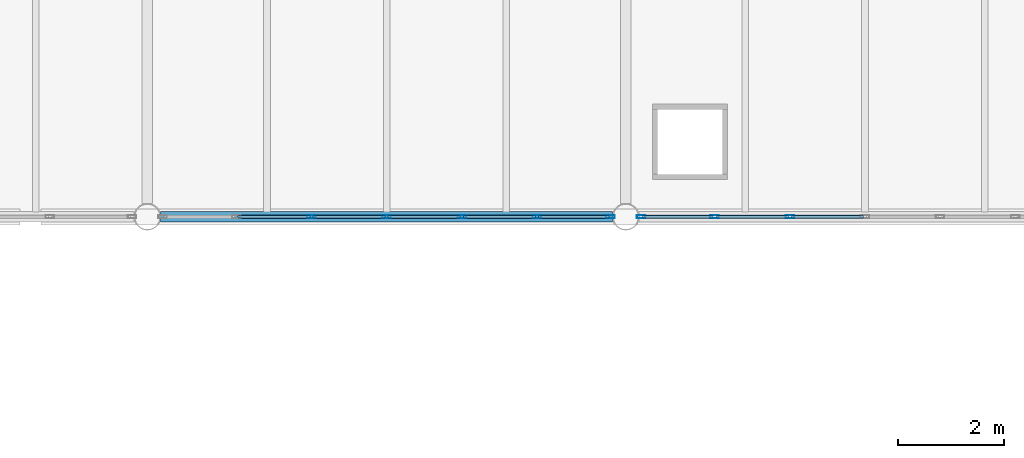
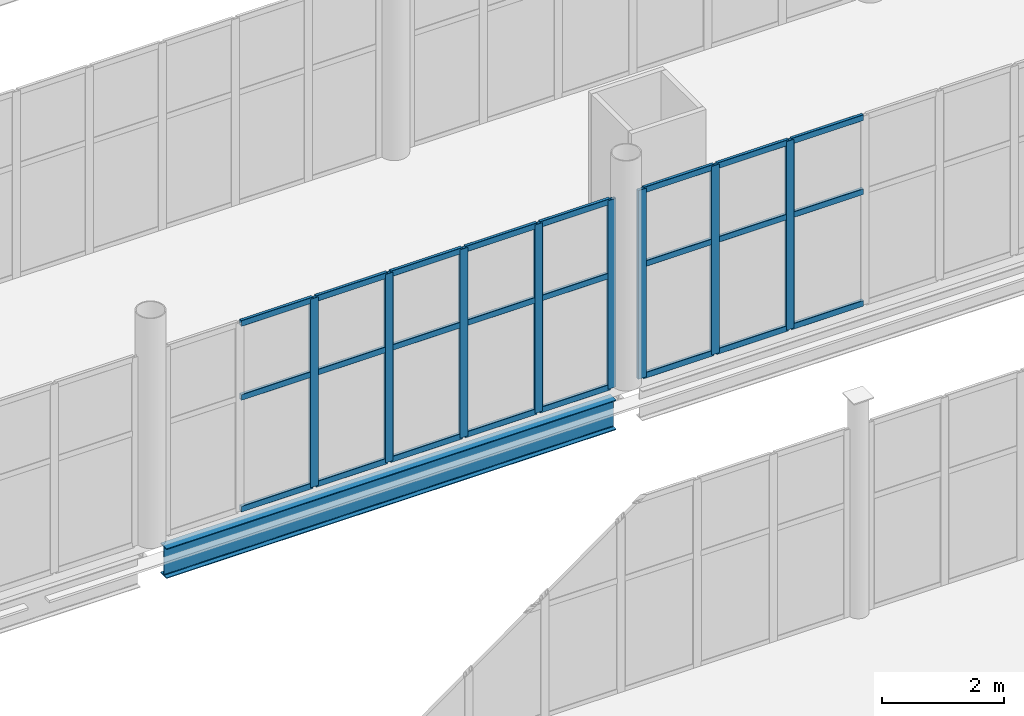
# One storey, part 89 of 172: 32 members, 1 beam, 2 elements without a shape of their own.
"""IFC4 building model written with IfcOpenShell, lengths in metres."""

from ifc_helpers import new_model, si_unit, direction, frame, origin, origin_2d, place, context, subcontext, project, spatial, hollow_rectangle, i_section, extrude, material, material_profile, profile_set, type_object, element, aggregate, save


model = new_model("IFC4")

# Units and contexts
model_context = context("Model", 3, precision=1e-05, world=origin(), true_north=direction((0.0, 1.0)))
body_context = subcontext(model_context, "Body", "Model", "MODEL_VIEW")
ifc_project = project(units=[si_unit("LENGTHUNIT", "METRE"), si_unit("AREAUNIT", "SQUARE_METRE"), si_unit("VOLUMEUNIT", "CUBIC_METRE"), si_unit("PLANEANGLEUNIT", "RADIAN"), si_unit("MASSUNIT", "GRAM", prefix="KILO")], contexts=[model_context])

# Site, building, storey
site_placement = place(None, origin())
site = spatial("IfcSite", under=ifc_project, at=site_placement, CompositionType="ELEMENT")
building_placement = place(site_placement, origin())
building = spatial("IfcBuilding", under=site, at=building_placement, Name="Shengluoqiao Park Theatre", CompositionType="ELEMENT")
storey_placement = place(building_placement, frame((0.0, 0.0, 5.39990234375)))
storey = spatial("IfcBuildingStorey", under=building, at=storey_placement, Name="L01", CompositionType="ELEMENT", Elevation=5.39990234375)

# Curtain wall, members
ifc_material_1 = material(Name="Aluminium 6063-T6", Category="aluminium")
curtain_wall_type = type_object("IfcCurtainWallType", Name="ENV-CW-BRIDGE", PredefinedType="NOTDEFINED", material=ifc_material_1)
curtain_wall_1_placement = place(storey_placement, origin())
curtain_wall_1 = element("IfcCurtainWall", 1, at=curtain_wall_1_placement, inside=storey, type_object=curtain_wall_type, Name="L01 Curtain Wall CWX-L01-0094", PredefinedType="NOTDEFINED")
ifc_material_profile_1 = material_profile(ifc_material_1, hollow_rectangle(XDim=0.06005859375, YDim=0.159912109375, WallThickness=0.00390625, InnerFilletRadius=0.00390625, OuterFilletRadius=0.008056640625, at=origin_2d()), Name="ALU MULLION 160x60x4")
ifc_profile_set_1 = profile_set([ifc_material_profile_1], Name="Aluminium 6063-T6")
member_type_1 = type_object("IfcMemberType", Name="ENV-MUL-160", PredefinedType="MULLION", material=ifc_profile_set_1)
member_1_placement = place(storey_placement, frame((115.486083984375, 68.39990234375, 0.0), z_axis=(0.0, 0.0, 1.0), x_axis=(0.0, 1.0, 0.0)))
member_1 = element("IfcMember", 2, at=member_1_placement, type_object=member_type_1, Name="CW-03 mullion 3", PredefinedType="MULLION", context=body_context, shape_type="SweptSolid", body=[
    extrude(hollow_rectangle(XDim=0.06005859375, YDim=0.159912109375, WallThickness=0.00390625, InnerFilletRadius=0.00390625, OuterFilletRadius=0.008056640625, at=origin_2d()), origin(), (0.0, 0.0, 1.0), 3.772216796875),
])
member_2_placement = place(storey_placement, frame((116.89990234375, 68.39990234375, 0.0), z_axis=(0.0, 0.0, 1.0), x_axis=(0.0, 1.0, 0.0)))
member_2 = element("IfcMember", 3, at=member_2_placement, type_object=member_type_1, Name="CW-03 mullion 4", PredefinedType="MULLION", context=body_context, shape_type="SweptSolid", body=[
    extrude(hollow_rectangle(XDim=0.06005859375, YDim=0.159912109375, WallThickness=0.00390625, InnerFilletRadius=0.00390625, OuterFilletRadius=0.008056640625, at=origin_2d()), origin(), (0.0, 0.0, 1.0), 3.772216796875),
])
member_3_placement = place(storey_placement, frame((118.31396484375, 68.39990234375, 0.0), z_axis=(0.0, 0.0, 1.0), x_axis=(0.0, 1.0, 0.0)))
member_3 = element("IfcMember", 4, at=member_3_placement, type_object=member_type_1, Name="CW-03 mullion 5", PredefinedType="MULLION", context=body_context, shape_type="SweptSolid", body=[
    extrude(hollow_rectangle(XDim=0.06005859375, YDim=0.159912109375, WallThickness=0.00390625, InnerFilletRadius=0.00390625, OuterFilletRadius=0.008056640625, at=origin_2d()), origin(), (0.0, 0.0, 1.0), 3.772216796875),
])
member_4_placement = place(storey_placement, frame((119.72802734375, 68.39990234375, 0.0), z_axis=(0.0, 0.0, 1.0), x_axis=(0.0, 1.0, 0.0)))
member_4 = element("IfcMember", 5, at=member_4_placement, type_object=member_type_1, Name="CW-03 mullion 6", PredefinedType="MULLION", context=body_context, shape_type="SweptSolid", body=[
    extrude(hollow_rectangle(XDim=0.06005859375, YDim=0.159912109375, WallThickness=0.00390625, InnerFilletRadius=0.00390625, OuterFilletRadius=0.008056640625, at=origin_2d()), origin(), (0.0, 0.0, 1.0), 3.772216796875),
])
member_5_placement = place(storey_placement, frame((121.112060546875, 68.39990234375, 0.0), z_axis=(0.0, 0.0, 1.0), x_axis=(0.0, 1.0, 0.0)))
member_5 = element("IfcMember", 6, at=member_5_placement, type_object=member_type_1, Name="CW-03 mullion 7", PredefinedType="MULLION", context=body_context, shape_type="SweptSolid", body=[
    extrude(hollow_rectangle(XDim=0.06005859375, YDim=0.159912109375, WallThickness=0.00390625, InnerFilletRadius=0.00390625, OuterFilletRadius=0.008056640625, at=origin_2d()), origin(), (0.0, 0.0, 1.0), 3.772216796875),
])

curtain_wall_2_placement = place(storey_placement, origin())
curtain_wall_2 = element("IfcCurtainWall", 7, at=curtain_wall_2_placement, inside=storey, type_object=curtain_wall_type, Name="L01 Curtain Wall CWX-L01-0095", PredefinedType="NOTDEFINED")
member_6_placement = place(storey_placement, frame((121.68798828125, 68.39990234375, 0.0), z_axis=(0.0, 0.0, 1.0), x_axis=(0.0, 1.0, 0.0)))
member_6 = element("IfcMember", 8, at=member_6_placement, type_object=member_type_1, Name="CW-03 mullion 1", PredefinedType="MULLION", context=body_context, shape_type="SweptSolid", body=[
    extrude(hollow_rectangle(XDim=0.06005859375, YDim=0.159912109375, WallThickness=0.00390625, InnerFilletRadius=0.00390625, OuterFilletRadius=0.008056640625, at=origin_2d()), origin(), (0.0, 0.0, 1.0), 3.772216796875),
])
member_7_placement = place(storey_placement, frame((123.072021484375, 68.39990234375, 0.0), z_axis=(0.0, 0.0, 1.0), x_axis=(0.0, 1.0, 0.0)))
member_7 = element("IfcMember", 9, at=member_7_placement, type_object=member_type_1, Name="CW-03 mullion 2", PredefinedType="MULLION", context=body_context, shape_type="SweptSolid", body=[
    extrude(hollow_rectangle(XDim=0.06005859375, YDim=0.159912109375, WallThickness=0.00390625, InnerFilletRadius=0.00390625, OuterFilletRadius=0.008056640625, at=origin_2d()), origin(), (0.0, 0.0, 1.0), 3.772216796875),
])
member_8_placement = place(storey_placement, frame((124.486083984375, 68.39990234375, 0.0), z_axis=(0.0, 0.0, 1.0), x_axis=(0.0, 1.0, 0.0)))
member_8 = element("IfcMember", 10, at=member_8_placement, type_object=member_type_1, Name="CW-03 mullion 3", PredefinedType="MULLION", context=body_context, shape_type="SweptSolid", body=[
    extrude(hollow_rectangle(XDim=0.06005859375, YDim=0.159912109375, WallThickness=0.00390625, InnerFilletRadius=0.00390625, OuterFilletRadius=0.008056640625, at=origin_2d()), origin(), (0.0, 0.0, 1.0), 3.772216796875),
])

# Member
ifc_material_profile_2 = material_profile(ifc_material_1, hollow_rectangle(XDim=0.06005859375, YDim=0.1201171875, WallThickness=0.00390625, InnerFilletRadius=0.00390625, OuterFilletRadius=0.008056640625, at=origin_2d()), Name="ALU TRANSOM 120x60x4")
ifc_profile_set_2 = profile_set([ifc_material_profile_2], Name="Aluminium 6063-T6")
member_type_2 = type_object("IfcMemberType", Name="ENV-TRN-120", PredefinedType="USERDEFINED", material=ifc_profile_set_2)
member_9_placement = place(storey_placement, frame((114.10205078125, 68.39990234375, 0.030029296875), z_axis=(1.0, 0.0, 0.0), x_axis=(0.0, 1.0, 0.0)))
member_9 = element("IfcMember", 11, at=member_9_placement, type_object=member_type_2, Name="CW-03 transom 2.1", ObjectType="TRANSOM", PredefinedType="USERDEFINED", context=body_context, shape_type="SweptSolid", body=[
    extrude(hollow_rectangle(XDim=0.06005859375, YDim=0.1201171875, WallThickness=0.00390625, InnerFilletRadius=0.00390625, OuterFilletRadius=0.008056640625, at=origin_2d()), origin(), (0.0, 0.0, 1.0), 1.35400390625),
])

member_10_placement = place(storey_placement, frame((114.10205078125, 68.39990234375, 2.26318359375), z_axis=(1.0, 0.0, 0.0), x_axis=(0.0, 1.0, 0.0)))
member_10 = element("IfcMember", 12, at=member_10_placement, type_object=member_type_2, Name="CW-03 transom 2.2", ObjectType="TRANSOM", PredefinedType="USERDEFINED", context=body_context, shape_type="SweptSolid", body=[
    extrude(hollow_rectangle(XDim=0.06005859375, YDim=0.1201171875, WallThickness=0.00390625, InnerFilletRadius=0.00390625, OuterFilletRadius=0.008056640625, at=origin_2d()), origin(), (0.0, 0.0, 1.0), 1.35400390625),
])

member_11_placement = place(storey_placement, frame((114.10205078125, 68.39990234375, 3.7421875), z_axis=(1.0, 0.0, 0.0), x_axis=(0.0, 1.0, 0.0)))
member_11 = element("IfcMember", 13, at=member_11_placement, type_object=member_type_2, Name="CW-03 transom 2.3", ObjectType="TRANSOM", PredefinedType="USERDEFINED", context=body_context, shape_type="SweptSolid", body=[
    extrude(hollow_rectangle(XDim=0.06005859375, YDim=0.1201171875, WallThickness=0.00390625, InnerFilletRadius=0.00390625, OuterFilletRadius=0.008056640625, at=origin_2d()), origin(), (0.0, 0.0, 1.0), 1.35400390625),
])

member_12_placement = place(storey_placement, frame((115.51611328125, 68.39990234375, 0.030029296875), z_axis=(1.0, 0.0, 0.0), x_axis=(0.0, 1.0, 0.0)))
member_12 = element("IfcMember", 14, at=member_12_placement, type_object=member_type_2, Name="CW-03 transom 3.1", ObjectType="TRANSOM", PredefinedType="USERDEFINED", context=body_context, shape_type="SweptSolid", body=[
    extrude(hollow_rectangle(XDim=0.06005859375, YDim=0.1201171875, WallThickness=0.00390625, InnerFilletRadius=0.00390625, OuterFilletRadius=0.008056640625, at=origin_2d()), origin(), (0.0, 0.0, 1.0), 1.35400390625),
])

member_13_placement = place(storey_placement, frame((115.51611328125, 68.39990234375, 2.26318359375), z_axis=(1.0, 0.0, 0.0), x_axis=(0.0, 1.0, 0.0)))
member_13 = element("IfcMember", 15, at=member_13_placement, type_object=member_type_2, Name="CW-03 transom 3.2", ObjectType="TRANSOM", PredefinedType="USERDEFINED", context=body_context, shape_type="SweptSolid", body=[
    extrude(hollow_rectangle(XDim=0.06005859375, YDim=0.1201171875, WallThickness=0.00390625, InnerFilletRadius=0.00390625, OuterFilletRadius=0.008056640625, at=origin_2d()), origin(), (0.0, 0.0, 1.0), 1.35400390625),
])

member_14_placement = place(storey_placement, frame((115.51611328125, 68.39990234375, 3.7421875), z_axis=(1.0, 0.0, 0.0), x_axis=(0.0, 1.0, 0.0)))
member_14 = element("IfcMember", 16, at=member_14_placement, type_object=member_type_2, Name="CW-03 transom 3.3", ObjectType="TRANSOM", PredefinedType="USERDEFINED", context=body_context, shape_type="SweptSolid", body=[
    extrude(hollow_rectangle(XDim=0.06005859375, YDim=0.1201171875, WallThickness=0.00390625, InnerFilletRadius=0.00390625, OuterFilletRadius=0.008056640625, at=origin_2d()), origin(), (0.0, 0.0, 1.0), 1.35400390625),
])

member_15_placement = place(storey_placement, frame((116.929931640625, 68.39990234375, 0.030029296875), z_axis=(1.0, 0.0, 0.0), x_axis=(0.0, 1.0, 0.0)))
member_15 = element("IfcMember", 17, at=member_15_placement, type_object=member_type_2, Name="CW-03 transom 4.1", ObjectType="TRANSOM", PredefinedType="USERDEFINED", context=body_context, shape_type="SweptSolid", body=[
    extrude(hollow_rectangle(XDim=0.06005859375, YDim=0.1201171875, WallThickness=0.00390625, InnerFilletRadius=0.00390625, OuterFilletRadius=0.008056640625, at=origin_2d()), origin(), (0.0, 0.0, 1.0), 1.35400390625),
])

member_16_placement = place(storey_placement, frame((116.929931640625, 68.39990234375, 2.26318359375), z_axis=(1.0, 0.0, 0.0), x_axis=(0.0, 1.0, 0.0)))
member_16 = element("IfcMember", 18, at=member_16_placement, type_object=member_type_2, Name="CW-03 transom 4.2", ObjectType="TRANSOM", PredefinedType="USERDEFINED", context=body_context, shape_type="SweptSolid", body=[
    extrude(hollow_rectangle(XDim=0.06005859375, YDim=0.1201171875, WallThickness=0.00390625, InnerFilletRadius=0.00390625, OuterFilletRadius=0.008056640625, at=origin_2d()), origin(), (0.0, 0.0, 1.0), 1.35400390625),
])

member_17_placement = place(storey_placement, frame((116.929931640625, 68.39990234375, 3.7421875), z_axis=(1.0, 0.0, 0.0), x_axis=(0.0, 1.0, 0.0)))
member_17 = element("IfcMember", 19, at=member_17_placement, type_object=member_type_2, Name="CW-03 transom 4.3", ObjectType="TRANSOM", PredefinedType="USERDEFINED", context=body_context, shape_type="SweptSolid", body=[
    extrude(hollow_rectangle(XDim=0.06005859375, YDim=0.1201171875, WallThickness=0.00390625, InnerFilletRadius=0.00390625, OuterFilletRadius=0.008056640625, at=origin_2d()), origin(), (0.0, 0.0, 1.0), 1.35400390625),
])

member_18_placement = place(storey_placement, frame((118.343994140625, 68.39990234375, 0.030029296875), z_axis=(1.0, 0.0, 0.0), x_axis=(0.0, 1.0, 0.0)))
member_18 = element("IfcMember", 20, at=member_18_placement, type_object=member_type_2, Name="CW-03 transom 5.1", ObjectType="TRANSOM", PredefinedType="USERDEFINED", context=body_context, shape_type="SweptSolid", body=[
    extrude(hollow_rectangle(XDim=0.06005859375, YDim=0.1201171875, WallThickness=0.00390625, InnerFilletRadius=0.00390625, OuterFilletRadius=0.008056640625, at=origin_2d()), origin(), (0.0, 0.0, 1.0), 1.35400390625),
])

member_19_placement = place(storey_placement, frame((118.343994140625, 68.39990234375, 2.26318359375), z_axis=(1.0, 0.0, 0.0), x_axis=(0.0, 1.0, 0.0)))
member_19 = element("IfcMember", 21, at=member_19_placement, type_object=member_type_2, Name="CW-03 transom 5.2", ObjectType="TRANSOM", PredefinedType="USERDEFINED", context=body_context, shape_type="SweptSolid", body=[
    extrude(hollow_rectangle(XDim=0.06005859375, YDim=0.1201171875, WallThickness=0.00390625, InnerFilletRadius=0.00390625, OuterFilletRadius=0.008056640625, at=origin_2d()), origin(), (0.0, 0.0, 1.0), 1.35400390625),
])

member_20_placement = place(storey_placement, frame((118.343994140625, 68.39990234375, 3.7421875), z_axis=(1.0, 0.0, 0.0), x_axis=(0.0, 1.0, 0.0)))
member_20 = element("IfcMember", 22, at=member_20_placement, type_object=member_type_2, Name="CW-03 transom 5.3", ObjectType="TRANSOM", PredefinedType="USERDEFINED", context=body_context, shape_type="SweptSolid", body=[
    extrude(hollow_rectangle(XDim=0.06005859375, YDim=0.1201171875, WallThickness=0.00390625, InnerFilletRadius=0.00390625, OuterFilletRadius=0.008056640625, at=origin_2d()), origin(), (0.0, 0.0, 1.0), 1.35400390625),
])

member_21_placement = place(storey_placement, frame((119.758056640625, 68.39990234375, 0.030029296875), z_axis=(1.0, 0.0, 0.0), x_axis=(0.0, 1.0, 0.0)))
member_21 = element("IfcMember", 23, at=member_21_placement, type_object=member_type_2, Name="CW-03 transom 6.1", ObjectType="TRANSOM", PredefinedType="USERDEFINED", context=body_context, shape_type="SweptSolid", body=[
    extrude(hollow_rectangle(XDim=0.06005859375, YDim=0.1201171875, WallThickness=0.00390625, InnerFilletRadius=0.00390625, OuterFilletRadius=0.008056640625, at=origin_2d()), origin(), (0.0, 0.0, 1.0), 1.323974609375),
])

member_22_placement = place(storey_placement, frame((119.758056640625, 68.39990234375, 2.26318359375), z_axis=(1.0, 0.0, 0.0), x_axis=(0.0, 1.0, 0.0)))
member_22 = element("IfcMember", 24, at=member_22_placement, type_object=member_type_2, Name="CW-03 transom 6.2", ObjectType="TRANSOM", PredefinedType="USERDEFINED", context=body_context, shape_type="SweptSolid", body=[
    extrude(hollow_rectangle(XDim=0.06005859375, YDim=0.1201171875, WallThickness=0.00390625, InnerFilletRadius=0.00390625, OuterFilletRadius=0.008056640625, at=origin_2d()), origin(), (0.0, 0.0, 1.0), 1.323974609375),
])

member_23_placement = place(storey_placement, frame((119.758056640625, 68.39990234375, 3.7421875), z_axis=(1.0, 0.0, 0.0), x_axis=(0.0, 1.0, 0.0)))
member_23 = element("IfcMember", 25, at=member_23_placement, type_object=member_type_2, Name="CW-03 transom 6.3", ObjectType="TRANSOM", PredefinedType="USERDEFINED", context=body_context, shape_type="SweptSolid", body=[
    extrude(hollow_rectangle(XDim=0.06005859375, YDim=0.1201171875, WallThickness=0.00390625, InnerFilletRadius=0.00390625, OuterFilletRadius=0.008056640625, at=origin_2d()), origin(), (0.0, 0.0, 1.0), 1.323974609375),
])

aggregate(curtain_wall_1, [member_1, member_2, member_3, member_4, member_5, member_9, member_10, member_11, member_12, member_13, member_14, member_15, member_16, member_17, member_18, member_19, member_20, member_21, member_22, member_23])

member_24_placement = place(storey_placement, frame((121.718017578125, 68.39990234375, 0.030029296875), z_axis=(1.0, 0.0, 0.0), x_axis=(0.0, 1.0, 0.0)))
member_24 = element("IfcMember", 26, at=member_24_placement, type_object=member_type_2, Name="CW-03 transom 1.1", ObjectType="TRANSOM", PredefinedType="USERDEFINED", context=body_context, shape_type="SweptSolid", body=[
    extrude(hollow_rectangle(XDim=0.06005859375, YDim=0.1201171875, WallThickness=0.00390625, InnerFilletRadius=0.00390625, OuterFilletRadius=0.008056640625, at=origin_2d()), origin(), (0.0, 0.0, 1.0), 1.323974609375),
])

member_25_placement = place(storey_placement, frame((121.718017578125, 68.39990234375, 2.26318359375), z_axis=(1.0, 0.0, 0.0), x_axis=(0.0, 1.0, 0.0)))
member_25 = element("IfcMember", 27, at=member_25_placement, type_object=member_type_2, Name="CW-03 transom 1.2", ObjectType="TRANSOM", PredefinedType="USERDEFINED", context=body_context, shape_type="SweptSolid", body=[
    extrude(hollow_rectangle(XDim=0.06005859375, YDim=0.1201171875, WallThickness=0.00390625, InnerFilletRadius=0.00390625, OuterFilletRadius=0.008056640625, at=origin_2d()), origin(), (0.0, 0.0, 1.0), 1.323974609375),
])

member_26_placement = place(storey_placement, frame((121.718017578125, 68.39990234375, 3.7421875), z_axis=(1.0, 0.0, 0.0), x_axis=(0.0, 1.0, 0.0)))
member_26 = element("IfcMember", 28, at=member_26_placement, type_object=member_type_2, Name="CW-03 transom 1.3", ObjectType="TRANSOM", PredefinedType="USERDEFINED", context=body_context, shape_type="SweptSolid", body=[
    extrude(hollow_rectangle(XDim=0.06005859375, YDim=0.1201171875, WallThickness=0.00390625, InnerFilletRadius=0.00390625, OuterFilletRadius=0.008056640625, at=origin_2d()), origin(), (0.0, 0.0, 1.0), 1.323974609375),
])

member_27_placement = place(storey_placement, frame((123.10205078125, 68.39990234375, 0.030029296875), z_axis=(1.0, 0.0, 0.0), x_axis=(0.0, 1.0, 0.0)))
member_27 = element("IfcMember", 29, at=member_27_placement, type_object=member_type_2, Name="CW-03 transom 2.1", ObjectType="TRANSOM", PredefinedType="USERDEFINED", context=body_context, shape_type="SweptSolid", body=[
    extrude(hollow_rectangle(XDim=0.06005859375, YDim=0.1201171875, WallThickness=0.00390625, InnerFilletRadius=0.00390625, OuterFilletRadius=0.008056640625, at=origin_2d()), origin(), (0.0, 0.0, 1.0), 1.35400390625),
])

member_28_placement = place(storey_placement, frame((123.10205078125, 68.39990234375, 2.26318359375), z_axis=(1.0, 0.0, 0.0), x_axis=(0.0, 1.0, 0.0)))
member_28 = element("IfcMember", 30, at=member_28_placement, type_object=member_type_2, Name="CW-03 transom 2.2", ObjectType="TRANSOM", PredefinedType="USERDEFINED", context=body_context, shape_type="SweptSolid", body=[
    extrude(hollow_rectangle(XDim=0.06005859375, YDim=0.1201171875, WallThickness=0.00390625, InnerFilletRadius=0.00390625, OuterFilletRadius=0.008056640625, at=origin_2d()), origin(), (0.0, 0.0, 1.0), 1.35400390625),
])

member_29_placement = place(storey_placement, frame((123.10205078125, 68.39990234375, 3.7421875), z_axis=(1.0, 0.0, 0.0), x_axis=(0.0, 1.0, 0.0)))
member_29 = element("IfcMember", 31, at=member_29_placement, type_object=member_type_2, Name="CW-03 transom 2.3", ObjectType="TRANSOM", PredefinedType="USERDEFINED", context=body_context, shape_type="SweptSolid", body=[
    extrude(hollow_rectangle(XDim=0.06005859375, YDim=0.1201171875, WallThickness=0.00390625, InnerFilletRadius=0.00390625, OuterFilletRadius=0.008056640625, at=origin_2d()), origin(), (0.0, 0.0, 1.0), 1.35400390625),
])

member_30_placement = place(storey_placement, frame((124.51611328125, 68.39990234375, 0.030029296875), z_axis=(1.0, 0.0, 0.0), x_axis=(0.0, 1.0, 0.0)))
member_30 = element("IfcMember", 32, at=member_30_placement, type_object=member_type_2, Name="CW-03 transom 3.1", ObjectType="TRANSOM", PredefinedType="USERDEFINED", context=body_context, shape_type="SweptSolid", body=[
    extrude(hollow_rectangle(XDim=0.06005859375, YDim=0.1201171875, WallThickness=0.00390625, InnerFilletRadius=0.00390625, OuterFilletRadius=0.008056640625, at=origin_2d()), origin(), (0.0, 0.0, 1.0), 1.35400390625),
])

member_31_placement = place(storey_placement, frame((124.51611328125, 68.39990234375, 2.26318359375), z_axis=(1.0, 0.0, 0.0), x_axis=(0.0, 1.0, 0.0)))
member_31 = element("IfcMember", 33, at=member_31_placement, type_object=member_type_2, Name="CW-03 transom 3.2", ObjectType="TRANSOM", PredefinedType="USERDEFINED", context=body_context, shape_type="SweptSolid", body=[
    extrude(hollow_rectangle(XDim=0.06005859375, YDim=0.1201171875, WallThickness=0.00390625, InnerFilletRadius=0.00390625, OuterFilletRadius=0.008056640625, at=origin_2d()), origin(), (0.0, 0.0, 1.0), 1.35400390625),
])

member_32_placement = place(storey_placement, frame((124.51611328125, 68.39990234375, 3.7421875), z_axis=(1.0, 0.0, 0.0), x_axis=(0.0, 1.0, 0.0)))
member_32 = element("IfcMember", 34, at=member_32_placement, type_object=member_type_2, Name="CW-03 transom 3.3", ObjectType="TRANSOM", PredefinedType="USERDEFINED", context=body_context, shape_type="SweptSolid", body=[
    extrude(hollow_rectangle(XDim=0.06005859375, YDim=0.1201171875, WallThickness=0.00390625, InnerFilletRadius=0.00390625, OuterFilletRadius=0.008056640625, at=origin_2d()), origin(), (0.0, 0.0, 1.0), 1.35400390625),
])

aggregate(curtain_wall_2, [member_6, member_7, member_8, member_24, member_25, member_26, member_27, member_28, member_29, member_30, member_31, member_32])

# Beam
ifc_material_2 = material(Name="Steel Q355", Category="steel")
ifc_material_profile_3 = material_profile(ifc_material_2, i_section(OverallWidth=0.198974609375, OverallDepth=0.595947265625, WebThickness=0.010009765625, FlangeThickness=0.014892578125, FilletRadius=0.02001953125, at=origin_2d()), Name="HN 596x199x10x15")
ifc_profile_set_3 = profile_set([ifc_material_profile_3], Name="Steel Q355")
beam_type = type_object("IfcBeamType", Name="STR-BM-SP-HN596", PredefinedType="SPANDREL", material=ifc_profile_set_3)
beam_placement = place(storey_placement, frame((112.64794921875, 68.39990234375, -0.5078125), z_axis=(1.0, 0.0, 0.0), x_axis=(0.0, 1.0, 0.0)))
element("IfcBeam", 35, at=beam_placement, inside=storey, type_object=beam_type, Name="L01 Primary Girder 00519", PredefinedType="SPANDREL", context=body_context, shape_type="SweptSolid", body=[
    extrude(i_section(OverallWidth=0.198974609375, OverallDepth=0.595947265625, WebThickness=0.010009765625, FlangeThickness=0.014892578125, FilletRadius=0.02001953125, at=origin_2d()), origin(), (0.0, 0.0, 1.0), 8.504150390625),
])

save(model, "model.ifc")
